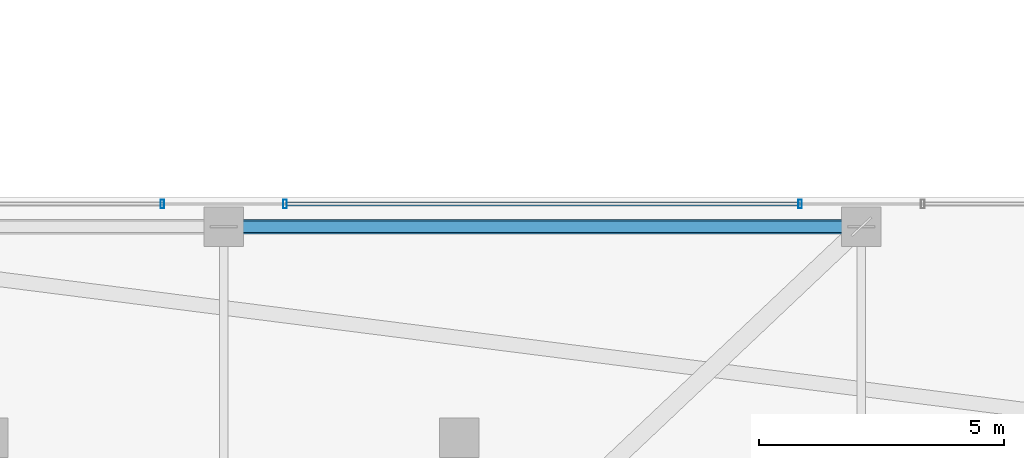
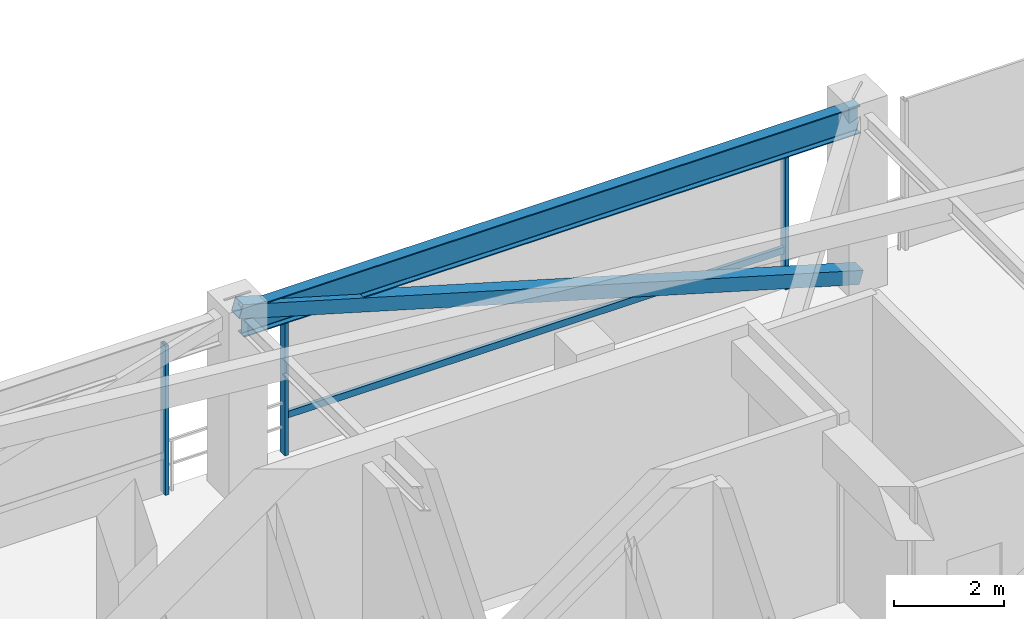
# One storey, part 22 of 47: 5 members, 1 beam, 2 elements without a shape of their own.
"""IFC4 building model written with IfcOpenShell, lengths in metres."""

import ifcopenshell
import ifcopenshell.guid

model = None  # the IFC model being written
_history = None  # IfcOwnerHistory: only IFC2X3 demands one
_inside = {}  # id of a spatial element -> (the spatial element, [elements in it])
_under = {}  # id of a project, library or spatial element -> (it, [spatial elements below it])
_declared = {}  # id of a project -> (the project, [libraries it declares])
_typed = {}  # id of a type object -> (the type object, [elements of that type])
_made_of = {}  # id of a material, layer set ... -> (it, [elements and type objects made of it])


def new_model(schema):
    """Start an empty IFC model of exactly this schema.

    Asked for "IFC4X3", IfcOpenShell would pick the latest addendum, in which some entities
    have other attributes; the version numbers below select the first issue.
    IFC2X3 requires an IfcOwnerHistory on every rooted entity: one is made here for all.
    """
    global model, _history
    if schema == "IFC4X3":
        model = ifcopenshell.file(schema_version=(4, 3, 0, 0))
    else:
        model = ifcopenshell.file(schema=schema)
    _inside.clear()
    _under.clear()
    _declared.clear()
    _typed.clear()
    _made_of.clear()
    _history = None
    if model.schema == "IFC2X3":
        org = make("IfcOrganization", Name="unknown")
        user = make(
            "IfcPersonAndOrganization",
            ThePerson=make("IfcPerson", FamilyName="unknown"),
            TheOrganization=org,
        )
        app = make(
            "IfcApplication",
            ApplicationDeveloper=org,
            Version="unknown",
            ApplicationFullName="unknown",
            ApplicationIdentifier="unknown",
        )
        _history = make(
            "IfcOwnerHistory",
            OwningUser=user,
            OwningApplication=app,
            ChangeAction="ADDED",
            CreationDate=0,
        )
    return model


def make(cls, **values):
    """One entity of the class cls with the attributes given. An attribute that is None is left unset."""
    return model.create_entity(
        cls, **{name: value for name, value in values.items() if value is not None}
    )


def rooted(cls, **values):
    """An entity with a GlobalId (a new one), such as an element, a storey or a relation."""
    return make(cls, GlobalId=ifcopenshell.guid.new(), OwnerHistory=_history, **values)


def si_unit(unit_type, name, prefix=None):
    """IfcSIUnit, for example si_unit("LENGTHUNIT", "METRE", prefix="MILLI")."""
    return make("IfcSIUnit", UnitType=unit_type, Prefix=prefix, Name=name)


def assignment(units):
    """IfcUnitAssignment: the units of a project."""
    return None if units is None else make("IfcUnitAssignment", Units=units)


def point(xyz):
    """IfcCartesianPoint."""
    return None if xyz is None else make("IfcCartesianPoint", Coordinates=xyz)


def direction(xyz):
    """IfcDirection."""
    return None if xyz is None else make("IfcDirection", DirectionRatios=xyz)


def frame(location, z_axis=None, x_axis=None):
    """IfcAxis2Placement3D, a coordinate frame: its origin and axes. An axis left out is left unset."""
    return make(
        "IfcAxis2Placement3D",
        Location=point(location),
        Axis=direction(z_axis),
        RefDirection=direction(x_axis),
    )


def frame_2d(location, x_axis=None):
    """IfcAxis2Placement2D, a coordinate frame in the plane: its origin and x axis."""
    return make(
        "IfcAxis2Placement2D", Location=point(location), RefDirection=direction(x_axis)
    )


def origin():
    """The frame at (0, 0, 0) with its axes left unset."""
    return frame((0.0, 0.0, 0.0))


def origin_2d():
    """The frame at (0, 0) in the plane with its x axis left unset."""
    return frame_2d((0.0, 0.0))


def place(relative_to, where):
    """IfcLocalPlacement: puts the frame where relative to a parent placement (None: the world)."""
    return make(
        "IfcLocalPlacement", PlacementRelTo=relative_to, RelativePlacement=where
    )


def context(
    kind, dimensions, precision=None, world=None, true_north=None, identifier=None
):
    """IfcGeometricRepresentationContext, for example the 3D "Model" context."""
    return make(
        "IfcGeometricRepresentationContext",
        ContextIdentifier=identifier,
        ContextType=kind,
        CoordinateSpaceDimension=dimensions,
        Precision=precision,
        WorldCoordinateSystem=world,
        TrueNorth=true_north,
    )


def subcontext(parent, identifier, kind, view, scale=None):
    """IfcGeometricRepresentationSubContext, for example "Body" below "Model"."""
    return make(
        "IfcGeometricRepresentationSubContext",
        ContextIdentifier=identifier,
        ContextType=kind,
        ParentContext=parent,
        TargetScale=scale,
        TargetView=view,
    )


def project(units=None, contexts=None):
    """IfcProject with its units and contexts."""
    return rooted(
        "IfcProject",
        Name="project",
        RepresentationContexts=contexts,
        UnitsInContext=assignment(units),
    )


def spatial(cls, under=None, at=None, **own):
    """A site, building, storey or space (cls), placed at a placement, below another one or the project."""
    s = rooted(cls, ObjectPlacement=at, **own)
    if under is not None:
        _under.setdefault(under.id(), (under, []))[1].append(s)
    return s


def profile(cls, at=None, kind="AREA", **sizes):
    """A parametric profile (cls). Its sizes go by their IFC names, for example OverallWidth=200.0."""
    return make(cls, ProfileType=kind, Position=at, **sizes)


def hollow_rectangle(**sizes):
    """IfcRectangleHollowProfileDef."""
    return profile("IfcRectangleHollowProfileDef", **sizes)


def i_section(**sizes):
    """IfcIShapeProfileDef."""
    return profile("IfcIShapeProfileDef", **sizes)


def extrude(swept, where, along, depth):
    """IfcExtrudedAreaSolid: the profile swept, set in the frame where, extruded along a direction by depth."""
    return make(
        "IfcExtrudedAreaSolid",
        SweptArea=swept,
        Position=where,
        ExtrudedDirection=direction(along),
        Depth=depth,
    )


def shape(context_of_items, identifier, shape_type, items):
    """IfcShapeRepresentation: the items that make up one representation, for example the "Body"."""
    return make(
        "IfcShapeRepresentation",
        ContextOfItems=context_of_items,
        RepresentationIdentifier=identifier,
        RepresentationType=shape_type,
        Items=items,
    )


def material(Name=None, Category=None):
    """IfcMaterial."""
    return make("IfcMaterial", Name=Name, Category=Category)


def material_profile(
    of_material, cross_section, Name=None, Category=None, Priority=None
):
    """IfcMaterialProfile: a cross section and its material."""
    return make(
        "IfcMaterialProfile",
        Name=Name,
        Material=of_material,
        Profile=cross_section,
        Priority=Priority,
        Category=Category,
    )


def profile_set(profiles, Name=None, composite=None):
    """IfcMaterialProfileSet."""
    return make(
        "IfcMaterialProfileSet",
        Name=Name,
        MaterialProfiles=profiles,
        CompositeProfile=composite,
    )


def made_of(thing, what):
    """Note that an element or type object is made of a material, layer set ...; save() writes the relation."""
    if what is not None:
        _made_of.setdefault(what.id(), (what, []))[1].append(thing)
    return thing


def type_object(cls, material=None, **own):
    """A type object (cls), such as IfcWallType, which elements share."""
    return made_of(rooted(cls, **own), material)


def element(
    cls,
    number,
    at=None,
    inside=None,
    cuts=None,
    type_object=None,
    material=None,
    context=None,
    identifier="Body",
    shape_type=None,
    held_by="IfcProductDefinitionShape",
    body=None,
    shapes=None,
    **own,
):
    """One element of the class cls, such as IfcWall. Its Tag is "e" and its number.

    at: its placement. inside: the storey or other place that contains it. cuts: it is an
    opening in that element (IfcRelVoidsElement). A single representation is given by context,
    identifier, shape_type and body (its items); several are given by shapes. held_by: the class
    of the entity that holds the representations. save() writes the other relations.
    """
    e = rooted(cls, Tag="e%d" % number, ObjectPlacement=at, **own)
    if body is not None:
        shapes = [shape(context, identifier, shape_type, body)]
    if shapes is not None:
        e.Representation = make(held_by, Representations=shapes)
    if inside is not None:
        _inside.setdefault(inside.id(), (inside, []))[1].append(e)
    if cuts is not None:
        rooted(
            "IfcRelVoidsElement", RelatingBuildingElement=cuts, RelatedOpeningElement=e
        )
    if type_object is not None:
        _typed.setdefault(type_object.id(), (type_object, []))[1].append(e)
    return made_of(e, material)


def aggregate(whole, parts):
    """IfcRelAggregates: a whole, such as a stair, and the parts it consists of."""
    return rooted("IfcRelAggregates", RelatingObject=whole, RelatedObjects=parts)


def save(model, path):
    """Write the relations noted so far, then the file.

    IfcRelAggregates (storeys below a building ...), IfcRelContainedInSpatialStructure (elements
    in a storey), IfcRelDefinesByType, IfcRelAssociatesMaterial and IfcRelDeclares: one each for
    every whole, place, type object, material and project.
    """
    for whole, parts in _under.values():
        aggregate(whole, parts)
    for where, things in _inside.values():
        rooted(
            "IfcRelContainedInSpatialStructure",
            RelatedElements=things,
            RelatingStructure=where,
        )
    for kind, things in _typed.values():
        rooted("IfcRelDefinesByType", RelatedObjects=things, RelatingType=kind)
    for what, things in _made_of.values():
        rooted("IfcRelAssociatesMaterial", RelatedObjects=things, RelatingMaterial=what)
    for by, libraries in _declared.values():
        rooted("IfcRelDeclares", RelatingContext=by, RelatedDefinitions=libraries)
    model.write(path)


model = new_model("IFC4")

# Units and contexts
model_context = context("Model", 3, precision=1e-05, world=origin(), true_north=direction((0.0, 1.0)))
body_context = subcontext(model_context, "Body", "Model", "MODEL_VIEW")
ifc_project = project(units=[si_unit("LENGTHUNIT", "METRE"), si_unit("AREAUNIT", "SQUARE_METRE"), si_unit("VOLUMEUNIT", "CUBIC_METRE"), si_unit("PLANEANGLEUNIT", "RADIAN"), si_unit("MASSUNIT", "GRAM", prefix="KILO")], contexts=[model_context])

# Site, building, storey
site_placement = place(None, origin())
site = spatial("IfcSite", under=ifc_project, at=site_placement, CompositionType="ELEMENT")
building_placement = place(site_placement, origin())
building = spatial("IfcBuilding", under=site, at=building_placement, Name="Thornwick Lancets Civic Towers", CompositionType="ELEMENT")
storey_placement = place(building_placement, frame((0.0, 0.0, 279.89990234375)))
storey = spatial("IfcBuildingStorey", under=building, at=storey_placement, Name="C01", CompositionType="ELEMENT", Elevation=279.89990234375)

# Beam
ifc_material_1 = material(Name="Steel S355JR", Category="steel")
ifc_material_profile_1 = material_profile(ifc_material_1, i_section(OverallWidth=0.230224609375, OverallDepth=0.6171875, WebThickness=0.01318359375, FlangeThickness=0.022216796875, FilletRadius=0.0126953125, at=origin_2d()), Name="UKB 610x229x140")
ifc_profile_set_1 = profile_set([ifc_material_profile_1], Name="Steel S355JR")
beam_type = type_object("IfcBeamType", Name="BM_GIRD_610_140", PredefinedType="BEAM", material=ifc_profile_set_1)
beam_placement = place(storey_placement, frame((25.580078125, 44.300048828125, 3.631591796875), z_axis=(1.0, 0.0, 0.0), x_axis=(0.0, 1.0, 0.0)))
element("IfcBeam", 1, at=beam_placement, inside=storey, type_object=beam_type, Name="BM-SPINE-C01-A-7-8", PredefinedType="BEAM", context=body_context, shape_type="SweptSolid", body=[
    extrude(i_section(OverallWidth=0.230224609375, OverallDepth=0.6171875, WebThickness=0.01318359375, FlangeThickness=0.022216796875, FilletRadius=0.0126953125, at=origin_2d()), origin(), (0.0, 0.0, 1.0), 12.919921875),
])

# Curtain wall, members
ifc_material_2 = material(Name="Crown ring acoustic-louvre and glazing screen wall", Category="glass")
curtain_wall_type = type_object("IfcCurtainWallType", Name="CW_SYS_07", PredefinedType="NOTDEFINED", material=ifc_material_2)
curtain_wall_1_placement = place(storey_placement, origin())
curtain_wall_1 = element("IfcCurtainWall", 2, at=curtain_wall_1_placement, inside=storey, type_object=curtain_wall_type, Name="C01 Curtain Wall CW-C01-A-E4-S2", PredefinedType="NOTDEFINED")
ifc_material_3 = material(Name="Thermally broken bronze aluminium S355", Category="steel")
ifc_material_profile_2 = material_profile(ifc_material_3, hollow_rectangle(XDim=0.074951171875, YDim=0.179931640625, WallThickness=0.006103515625, at=origin_2d()), Name="RHS 180x75x6")
ifc_profile_set_2 = profile_set([ifc_material_profile_2], Name="Thermally broken bronze aluminium S355")
member_type_1 = type_object("IfcMemberType", Name="CW_MUL_180", PredefinedType="MULLION", material=ifc_profile_set_2)
member_1_placement = place(storey_placement, frame((37.25, 44.7646484375, 0.0), z_axis=(0.0, 0.0, 1.0), x_axis=(1.0, 0.0, 0.0)))
member_1 = element("IfcMember", 3, at=member_1_placement, type_object=member_type_1, Name="CW-C01-A-E4-S2 Mullion 0", PredefinedType="MULLION", context=body_context, shape_type="SweptSolid", body=[
    extrude(hollow_rectangle(XDim=0.074951171875, YDim=0.179931640625, WallThickness=0.006103515625, at=origin_2d()), origin(), (0.0, 0.0, 1.0), 3.300048828125),
])
member_2_placement = place(storey_placement, frame((26.75, 44.7646484375, 0.0), z_axis=(0.0, 0.0, 1.0), x_axis=(1.0, 0.0, 0.0)))
member_2 = element("IfcMember", 4, at=member_2_placement, type_object=member_type_1, Name="CW-C01-A-E4-S2 Mullion 1", PredefinedType="MULLION", context=body_context, shape_type="SweptSolid", body=[
    extrude(hollow_rectangle(XDim=0.074951171875, YDim=0.179931640625, WallThickness=0.006103515625, at=origin_2d()), origin(), (0.0, 0.0, 1.0), 3.300048828125),
])

# Curtain wall, member
curtain_wall_2_placement = place(storey_placement, origin())
curtain_wall_2 = element("IfcCurtainWall", 5, at=curtain_wall_2_placement, inside=storey, type_object=curtain_wall_type, Name="C01 Curtain Wall CW-C01-A-E4-S3", PredefinedType="NOTDEFINED")
member_3_placement = place(storey_placement, frame((24.25, 44.7646484375, 0.0), z_axis=(0.0, 0.0, 1.0), x_axis=(1.0, 0.0, 0.0)))
member_3 = element("IfcMember", 6, at=member_3_placement, type_object=member_type_1, Name="CW-C01-A-E4-S3 Mullion 0", PredefinedType="MULLION", context=body_context, shape_type="SweptSolid", body=[
    extrude(hollow_rectangle(XDim=0.074951171875, YDim=0.179931640625, WallThickness=0.006103515625, at=origin_2d()), origin(), (0.0, 0.0, 1.0), 3.300048828125),
])
aggregate(curtain_wall_2, [member_3])

# Member
ifc_material_profile_3 = material_profile(ifc_material_3, hollow_rectangle(XDim=0.074951171875, YDim=0.14990234375, WallThickness=0.0048828125, at=origin_2d()), Name="RHS 150x75x5")
ifc_profile_set_3 = profile_set([ifc_material_profile_3], Name="Thermally broken bronze aluminium S355")
member_type_2 = type_object("IfcMemberType", Name="CW_TRN_150", PredefinedType="USERDEFINED", material=ifc_profile_set_3)
member_4_placement = place(storey_placement, frame((37.22998046875, 44.7646484375, 0.85009765625), z_axis=(-1.0, 0.0, 0.0), x_axis=(0.0, -1.0, 0.0)))
member_4 = element("IfcMember", 7, at=member_4_placement, type_object=member_type_2, Name="CW-C01-A-E4-S2 Transom 0", ObjectType="TRANSOM", PredefinedType="USERDEFINED", context=body_context, shape_type="SweptSolid", body=[
    extrude(hollow_rectangle(XDim=0.074951171875, YDim=0.14990234375, WallThickness=0.0048828125, at=origin_2d()), origin(), (0.0, 0.0, 1.0), 10.4599609375),
])

aggregate(curtain_wall_1, [member_1, member_2, member_4])

ifc_material_4 = material(Name="Steel S460M", Category="steel")
ifc_material_profile_4 = material_profile(ifc_material_4, hollow_rectangle(XDim=0.300048828125, YDim=0.300048828125, WallThickness=0.01611328125, at=origin_2d()), Name="SHS 300x300x16")
ifc_profile_set_4 = profile_set([ifc_material_profile_4], Name="Steel S460M")
member_type_3 = type_object("IfcMemberType", Name="MEM_BELT_SHS300", PredefinedType="BRACE", material=ifc_profile_set_4)
member_5_placement = place(storey_placement, frame((38.5, 44.300048828125, 0.150146484375), z_axis=(-0.960032302388, 0.0, 0.279889225178), x_axis=(0.0, -1.0, 0.0)))
element("IfcMember", 8, at=member_5_placement, inside=storey, type_object=member_type_3, Name="C01 Belt Truss Diagonal A-S2-2", PredefinedType="BRACE", context=body_context, shape_type="SweptSolid", body=[
    extrude(hollow_rectangle(XDim=0.300048828125, YDim=0.300048828125, WallThickness=0.01611328125, at=origin_2d()), origin(), (0.0, 0.0, 1.0), 13.541259765625),
])

save(model, "model.ifc")
